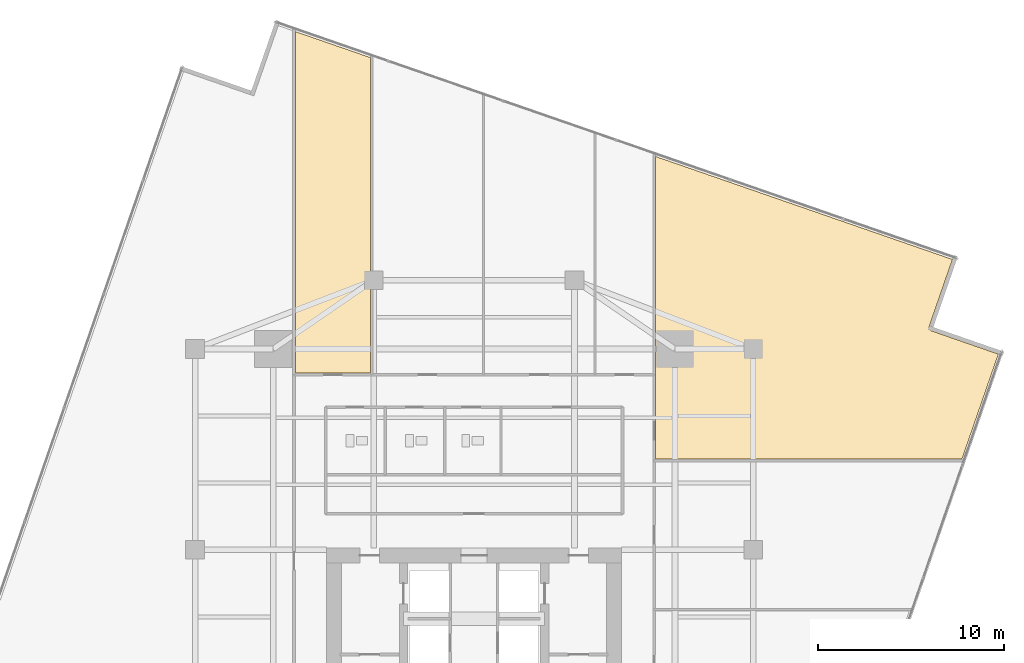
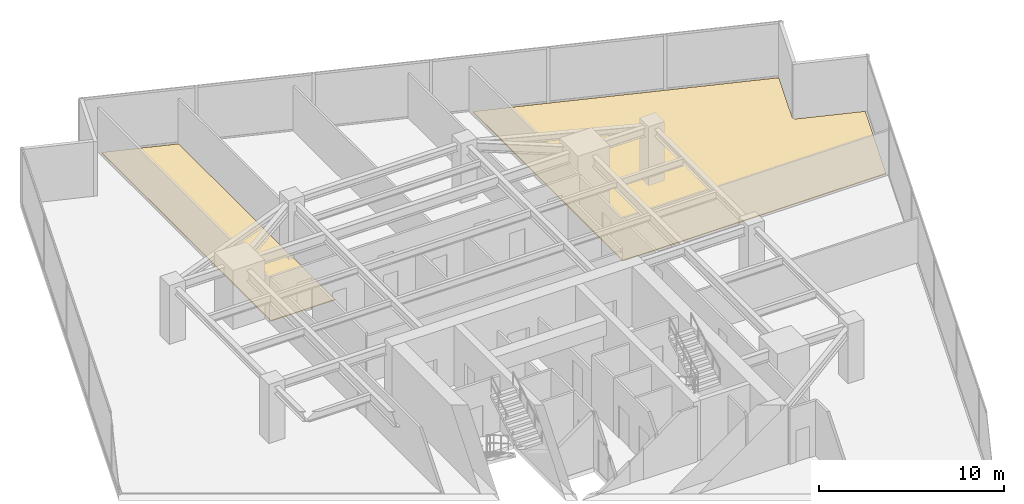
# One storey, part 27 of 28: 2 coverings.
"""IFC4 building model written with IfcOpenShell, lengths in metres."""

from ifc_helpers import new_model, si_unit, direction, frame, origin, place, context, subcontext, project, spatial, polyline, outline, extrude, material, layer, layer_set, type_object, element, save


model = new_model("IFC4")

# Units and contexts
model_context = context("Model", 3, precision=1e-05, world=origin(), true_north=direction((0.0, 1.0)))
body_context = subcontext(model_context, "Body", "Model", "MODEL_VIEW")
ifc_project = project(units=[si_unit("LENGTHUNIT", "METRE"), si_unit("AREAUNIT", "SQUARE_METRE"), si_unit("VOLUMEUNIT", "CUBIC_METRE"), si_unit("PLANEANGLEUNIT", "RADIAN"), si_unit("MASSUNIT", "GRAM", prefix="KILO")], contexts=[model_context])

# Site, building, storey
site_placement = place(None, origin())
site = spatial("IfcSite", under=ifc_project, at=site_placement, CompositionType="ELEMENT")
building_placement = place(site_placement, origin())
building = spatial("IfcBuilding", under=site, at=building_placement, Name="Krantzveldt Concourse Tower", CompositionType="ELEMENT")
storey_placement = place(building_placement, frame((0.0, 0.0, 117.699951171875)))
storey = spatial("IfcBuildingStorey", under=building, at=storey_placement, Name="L28", CompositionType="ELEMENT", Elevation=117.699951171875)

# Coverings
ifc_material = material(Name="Calcium-sulphate raised access floor panel", Category="flooring")
ifc_layer = layer(ifc_material, 0.050048828125, Name="Calcium-sulphate raised access floor panel", Category="flooring")
ifc_layer_set = layer_set([ifc_layer], Name="Calcium-sulphate raised access floor panel (COV-FLOOR-RAISED)")
covering_type = type_object("IfcCoveringType", Name="COV-FLOOR-RAISED", PredefinedType="FLOORING", material=ifc_layer_set)
covering_1_placement = place(storey_placement, origin())
element("IfcCovering", 1, at=covering_1_placement, inside=storey, type_object=covering_type, Name="FLR-SP-L28-NR1", PredefinedType="FLOORING", context=body_context, shape_type="SweptSolid", body=[
    extrude(outline(polyline([(26.39990234375, 36.199951171875), (26.39990234375, 54.563232421875), (30.419921875, 53.169189453125), (30.419921875, 36.199951171875), (26.39990234375, 36.199951171875)])), origin(), (0.0, 0.0, 1.0), 0.050048828125),
])
covering_2_placement = place(storey_placement, origin())
element("IfcCovering", 2, at=covering_2_placement, inside=storey, type_object=covering_type, Name="FLR-SP-L28-ER3", PredefinedType="FLOORING", context=body_context, shape_type="SweptSolid", body=[
    extrude(outline(polyline([(45.760009765625, 47.849609375), (61.7158203125, 42.316650390625), (60.477294921875, 38.745361328125), (60.471435546875, 38.724609375), (60.46728515625, 38.703369140625), (60.46533203125, 38.681884765625), (60.465576171875, 38.66015625), (60.468017578125, 38.638671875), (60.472412109375, 38.61767578125), (60.478759765625, 38.59716796875), (60.4873046875, 38.5771484375), (60.49755859375, 38.558349609375), (60.509765625, 38.54052734375), (60.523681640625, 38.52392578125), (60.5390625, 38.5087890625), (60.555908203125, 38.4951171875), (60.573974609375, 38.4833984375), (60.59326171875, 38.473388671875), (60.61328125, 38.46533203125), (64.1845703125, 37.226806640625), (62.226318359375, 31.580078125), (45.760009765625, 31.580078125), (45.760009765625, 47.849609375)])), origin(), (0.0, 0.0, 1.0), 0.050048828125),
])

save(model, "model.ifc")
